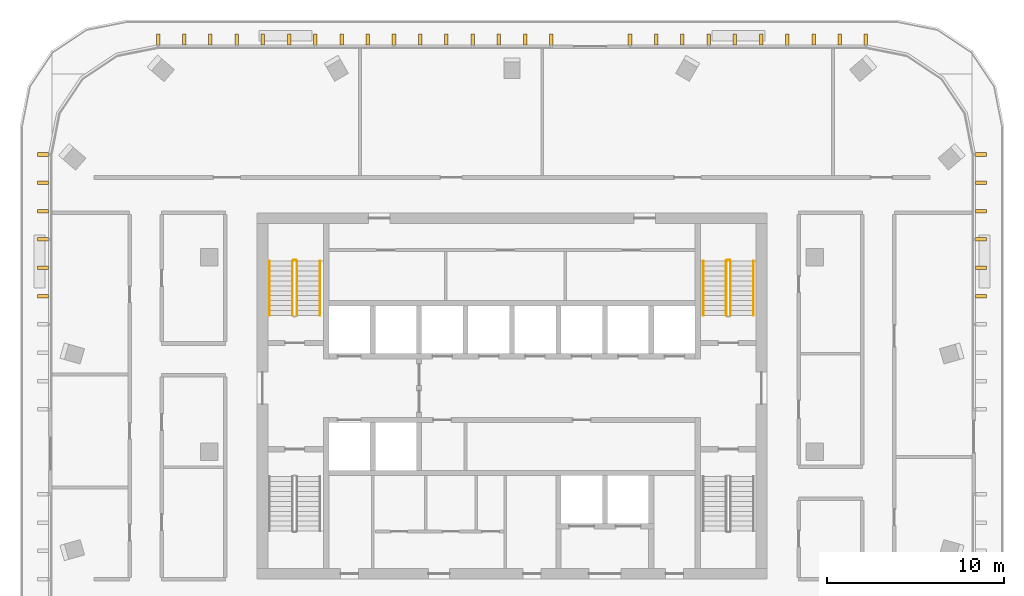
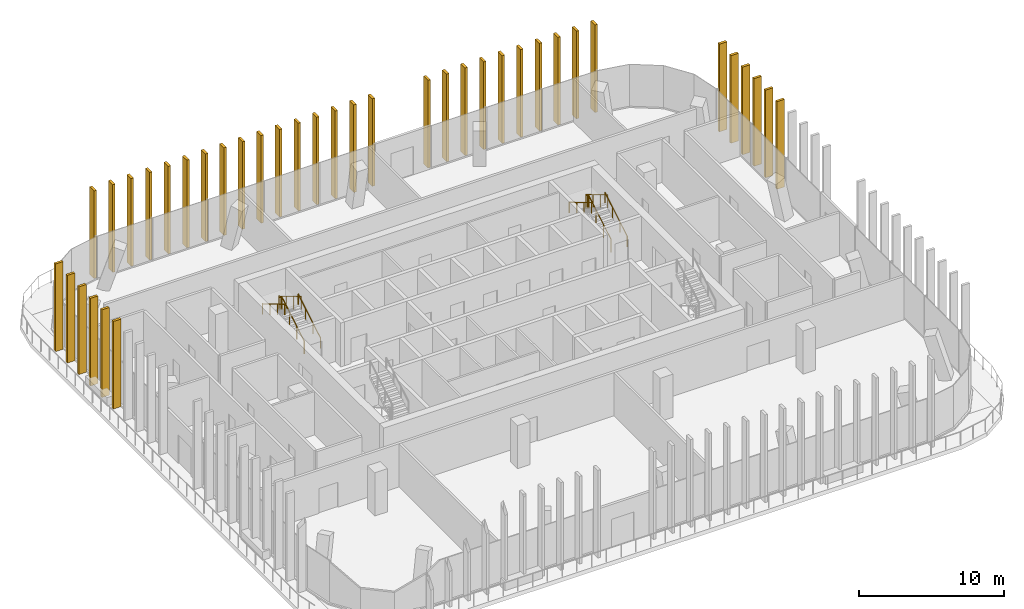
# One storey, part 15 of 15: 38 shading devices, 8 railings.
"""IFC4 building model written with IfcOpenShell, lengths in metres."""

from ifc_helpers import new_model, si_unit, direction, frame, origin, origin_2d, place, context, subcontext, project, spatial, rectangle, circle, extrude, material, type_object, element, save


model = new_model("IFC4")

# Units and contexts
model_context = context("Model", 3, precision=1e-05, world=origin(), true_north=direction((0.0, 1.0)))
body_context = subcontext(model_context, "Body", "Model", "MODEL_VIEW")
ifc_project = project(units=[si_unit("LENGTHUNIT", "METRE"), si_unit("AREAUNIT", "SQUARE_METRE"), si_unit("VOLUMEUNIT", "CUBIC_METRE"), si_unit("PLANEANGLEUNIT", "RADIAN"), si_unit("MASSUNIT", "GRAM", prefix="KILO")], contexts=[model_context])

# Site, building, storey
site_placement = place(None, origin())
site = spatial("IfcSite", under=ifc_project, at=site_placement, CompositionType="ELEMENT")
building_placement = place(site_placement, origin())
building = spatial("IfcBuilding", under=site, at=building_placement, Name="Mopane Tessera Tower", CompositionType="ELEMENT")
storey_placement = place(building_placement, frame((0.0, 0.0, 329.39990234375)))
storey = spatial("IfcBuildingStorey", under=building, at=storey_placement, Name="L72", CompositionType="ELEMENT", Elevation=329.39990234375)

# Shading devices
ifc_material_1 = material(Name="Glazed ceramic tile")
shading_device_type = type_object("IfcShadingDeviceType", Name="Ceramic tile fin 600 x 200 mm", PredefinedType="USERDEFINED", material=ifc_material_1)
for number, where, z_axis, x_axis, name in (
    (1, (26.5, 8.800048828125, 0.000244140625), (0.0, 0.0, 1.0), (0.0, 1.0, 0.0), "e:fin:L72:E:5:1"),
    (2, (26.5, 10.39990234375, 0.000244140625), (0.0, 0.0, 1.0), (0.0, 1.0, 0.0), "e:fin:L72:E:5:2"),
    (3, (26.5, 12.0, 0.000244140625), (0.0, 0.0, 1.0), (0.0, 1.0, 0.0), "e:fin:L72:E:6:0"),
    (4, (26.5, 13.60009765625, 0.000244140625), (0.0, 0.0, 1.0), (0.0, 1.0, 0.0), "e:fin:L72:E:6:1"),
    (5, (26.5, 15.199951171875, 0.000244140625), (0.0, 0.0, 1.0), (0.0, 1.0, 0.0), "e:fin:L72:E:6:2"),
    (6, (26.5, 16.800048828125, 0.000244140625), (0.0, 0.0, 1.0), (0.0, 1.0, 0.0), "e:fin:L72:E:6:3"),
    (7, (20.0, 23.300048828125, 0.000244140625), (0.0, 0.0, 1.0), (-1.0, 0.0, 0.0), "e:fin:L72:N:0:0"),
    (8, (18.5185546875, 23.300048828125, 0.000244140625), (0.0, 0.0, 1.0), (-1.0, 0.0, 0.0), "e:fin:L72:N:0:1"),
    (9, (17.037109375, 23.300048828125, 0.000244140625), (0.0, 0.0, 1.0), (-1.0, 0.0, 0.0), "e:fin:L72:N:0:2"),
    (10, (15.5556640625, 23.300048828125, 0.000244140625), (0.0, 0.0, 1.0), (-1.0, 0.0, 0.0), "e:fin:L72:N:1:0"),
    (11, (14.073974609375, 23.300048828125, 0.000244140625), (0.0, 0.0, 1.0), (-1.0, 0.0, 0.0), "e:fin:L72:N:1:1"),
    (12, (12.592529296875, 23.300048828125, 0.000244140625), (0.0, 0.0, 1.0), (-1.0, 0.0, 0.0), "e:fin:L72:N:1:2"),
    (13, (11.111083984375, 23.300048828125, 0.000244140625), (0.0, 0.0, 1.0), (-1.0, 0.0, 0.0), "e:fin:L72:N:2:0"),
    (14, (9.629638671875, 23.300048828125, 0.000244140625), (0.0, 0.0, 1.0), (-1.0, 0.0, 0.0), "e:fin:L72:N:2:1"),
    (15, (8.148193359375, 23.300048828125, 0.000244140625), (0.0, 0.0, 1.0), (-1.0, 0.0, 0.0), "e:fin:L72:N:2:2"),
    (16, (6.666748046875, 23.300048828125, 0.000244140625), (0.0, 0.0, 1.0), (-1.0, 0.0, 0.0), "e:fin:L72:N:2:3"),
    (17, (2.22216796875, 23.300048828125, 0.000244140625), (0.0, 0.0, 1.0), (-1.0, 0.0, 0.0), "e:fin:L72:N:4:0"),
    (18, (0.74072265625, 23.300048828125, 0.000244140625), (0.0, 0.0, 1.0), (-1.0, 0.0, 0.0), "e:fin:L72:N:4:1"),
    (19, (-0.74072265625, 23.300048828125, 0.000244140625), (0.0, 0.0, 1.0), (-1.0, 0.0, 0.0), "e:fin:L72:N:4:2"),
    (20, (-2.22216796875, 23.300048828125, 0.000244140625), (0.0, 0.0, 1.0), (-1.0, 0.0, 0.0), "e:fin:L72:N:5:0"),
    (21, (-3.70361328125, 23.300048828125, 0.000244140625), (0.0, 0.0, 1.0), (-1.0, 0.0, 0.0), "e:fin:L72:N:5:1"),
    (22, (-5.185302734375, 23.300048828125, 0.000244140625), (0.0, 0.0, 1.0), (-1.0, 0.0, 0.0), "e:fin:L72:N:5:2"),
    (23, (-6.666748046875, 23.300048828125, 0.000244140625), (0.0, 0.0, 1.0), (-1.0, 0.0, 0.0), "e:fin:L72:N:6:0"),
    (24, (-8.148193359375, 23.300048828125, 0.000244140625), (0.0, 0.0, 1.0), (-1.0, 0.0, 0.0), "e:fin:L72:N:6:1"),
    (25, (-9.629638671875, 23.300048828125, 0.000244140625), (0.0, 0.0, 1.0), (-1.0, 0.0, 0.0), "e:fin:L72:N:6:2"),
    (26, (-11.111083984375, 23.300048828125, 0.000244140625), (0.0, 0.0, 1.0), (-1.0, 0.0, 0.0), "e:fin:L72:N:7:0"),
    (27, (-12.592529296875, 23.300048828125, 0.000244140625), (0.0, 0.0, 1.0), (-1.0, 0.0, 0.0), "e:fin:L72:N:7:1"),
    (28, (-14.073974609375, 23.300048828125, 0.000244140625), (0.0, 0.0, 1.0), (-1.0, 0.0, 0.0), "e:fin:L72:N:7:2"),
    (29, (-15.5556640625, 23.300048828125, 0.000244140625), (0.0, 0.0, 1.0), (-1.0, 0.0, 0.0), "e:fin:L72:N:8:0"),
    (30, (-17.037109375, 23.300048828125, 0.000244140625), (0.0, 0.0, 1.0), (-1.0, 0.0, 0.0), "e:fin:L72:N:8:1"),
    (31, (-18.5185546875, 23.300048828125, 0.000244140625), (0.0, 0.0, 1.0), (-1.0, 0.0, 0.0), "e:fin:L72:N:8:2"),
    (32, (-20.0, 23.300048828125, 0.000244140625), (0.0, 0.0, 1.0), (-1.0, 0.0, 0.0), "e:fin:L72:N:8:3"),
    (33, (-26.5, 16.800048828125, 0.000244140625), (0.0, 0.0, 1.0), (0.0, -1.0, 0.0), "e:fin:L72:W:0:0"),
    (34, (-26.5, 15.199951171875, 0.000244140625), (0.0, 0.0, 1.0), (0.0, -1.0, 0.0), "e:fin:L72:W:0:1"),
    (35, (-26.5, 13.60009765625, 0.000244140625), (0.0, 0.0, 1.0), (0.0, -1.0, 0.0), "e:fin:L72:W:0:2"),
    (36, (-26.5, 12.0, 0.000244140625), (0.0, 0.0, 1.0), (0.0, -1.0, 0.0), "e:fin:L72:W:1:0"),
    (37, (-26.5, 10.39990234375, 0.000244140625), (0.0, 0.0, 1.0), (0.0, -1.0, 0.0), "e:fin:L72:W:1:1"),
    (38, (-26.5, 8.800048828125, 0.000244140625), (0.0, 0.0, 1.0), (0.0, -1.0, 0.0), "e:fin:L72:W:1:2"),
):
    element("IfcShadingDevice", number, at=place(storey_placement, frame(where, z_axis=z_axis, x_axis=x_axis)), inside=storey, type_object=shading_device_type, Name=name, ObjectType="FIN", PredefinedType="USERDEFINED", context=body_context, shape_type="SweptSolid", body=[
        extrude(rectangle(XDim=0.199951171875, YDim=0.60009765625, at=origin_2d()), origin(), (0.0, 0.0, 1.0), 7.39990234375),
    ])

# Railings
ifc_material_2 = material(Name="Powder-coated steel balustrade", Category="steel")
railing_type_1 = type_object("IfcRailingType", Name="Escape stair guard 1100 mm", PredefinedType="GUARDRAIL", material=ifc_material_2)
railing_1_placement = place(storey_placement, frame((-12.14990234375, 7.699951171875, 0.166748046875)))
element("IfcRailing", 39, at=railing_1_placement, inside=storey, type_object=railing_type_1, Name="L72 ST2 stair guard 1", PredefinedType="GUARDRAIL", context=body_context, shape_type="SweptSolid", body=[
    extrude(circle(Radius=0.02392578125, at=origin_2d()), frame((0.0, 0.0, 1.076171875), z_axis=(0.0, 0.859308565015, 0.511457515432), x_axis=(-1.0, 0.0, 0.0)), (0.0, 0.0, 1.0), 3.58447265625),
    extrude(circle(Radius=0.02392578125, at=origin_2d()), frame((0.0, 3.080078125, 2.9091796875), z_axis=(-0.707106781187, 0.707106781187, 0.0), x_axis=(-0.707106781187, -0.707106781187, 0.0)), (0.0, 0.0, 1.0), 0.07080078125),
    extrude(circle(Radius=0.02392578125, at=origin_2d()), frame((-0.050048828125, 3.130126953125, 2.9091796875), z_axis=(-1.0, 0.0, 0.0), x_axis=(0.0, -1.0, 0.0)), (0.0, 0.0, 1.0), 0.150146484375),
    extrude(circle(Radius=0.02099609375, at=origin_2d()), origin(), (0.0, 0.0, 1.0), 1.052001953125),
    extrude(circle(Radius=0.02099609375, at=origin_2d()), frame((0.0, 1.026611328125, 0.611083984375)), (0.0, 0.0, 1.0), 1.052001953125),
    extrude(circle(Radius=0.02099609375, at=origin_2d()), frame((0.0, 2.053466796875, 1.22216796875)), (0.0, 0.0, 1.0), 1.052001953125),
    extrude(circle(Radius=0.02099609375, at=origin_2d()), frame((0.0, 3.080078125, 1.833251953125)), (0.0, 0.0, 1.0), 1.052001953125),
    extrude(circle(Radius=0.02099609375, at=origin_2d()), frame((-0.050048828125, 3.130126953125, 1.833251953125)), (0.0, 0.0, 1.0), 1.052001953125),
    extrude(circle(Radius=0.02099609375, at=origin_2d()), frame((-0.2001953125, 3.130126953125, 1.833251953125)), (0.0, 0.0, 1.0), 1.052001953125),
])
railing_2_placement = place(storey_placement, frame((-12.39990234375, 10.780029296875, 2.166748046875)))
element("IfcRailing", 40, at=railing_2_placement, inside=storey, type_object=railing_type_1, Name="L72 ST2 stair guard 2", PredefinedType="GUARDRAIL", context=body_context, shape_type="SweptSolid", body=[
    extrude(circle(Radius=0.02392578125, at=origin_2d()), frame((0.0, 0.0, 1.076171875), z_axis=(0.0, -0.859308565015, 0.511457515432), x_axis=(1.0, 0.0, 0.0)), (0.0, 0.0, 1.0), 3.58447265625),
    extrude(circle(Radius=0.02099609375, at=origin_2d()), origin(), (0.0, 0.0, 1.0), 1.052001953125),
    extrude(circle(Radius=0.02099609375, at=origin_2d()), frame((0.0, -1.026611328125, 0.611083984375)), (0.0, 0.0, 1.0), 1.052001953125),
    extrude(circle(Radius=0.02099609375, at=origin_2d()), frame((0.0, -2.053466796875, 1.22216796875)), (0.0, 0.0, 1.0), 1.052001953125),
    extrude(circle(Radius=0.02099609375, at=origin_2d()), frame((0.0, -3.080078125, 1.833251953125)), (0.0, 0.0, 1.0), 1.052001953125),
])
railing_3_placement = place(storey_placement, frame((12.35009765625, 7.699951171875, 0.166748046875)))
element("IfcRailing", 41, at=railing_3_placement, inside=storey, type_object=railing_type_1, Name="L72 ST4 stair guard 1", PredefinedType="GUARDRAIL", context=body_context, shape_type="SweptSolid", body=[
    extrude(circle(Radius=0.02392578125, at=origin_2d()), frame((0.0, 0.0, 1.076171875), z_axis=(0.0, 0.859308565015, 0.511457515432), x_axis=(-1.0, 0.0, 0.0)), (0.0, 0.0, 1.0), 3.58447265625),
    extrude(circle(Radius=0.02392578125, at=origin_2d()), frame((0.0, 3.080078125, 2.9091796875), z_axis=(-0.707106781187, 0.707106781187, 0.0), x_axis=(-0.707106781187, -0.707106781187, 0.0)), (0.0, 0.0, 1.0), 0.07080078125),
    extrude(circle(Radius=0.02392578125, at=origin_2d()), frame((-0.050048828125, 3.130126953125, 2.9091796875), z_axis=(-1.0, 0.0, 0.0), x_axis=(0.0, -1.0, 0.0)), (0.0, 0.0, 1.0), 0.150146484375),
    extrude(circle(Radius=0.02099609375, at=origin_2d()), origin(), (0.0, 0.0, 1.0), 1.052001953125),
    extrude(circle(Radius=0.02099609375, at=origin_2d()), frame((0.0, 1.026611328125, 0.611083984375)), (0.0, 0.0, 1.0), 1.052001953125),
    extrude(circle(Radius=0.02099609375, at=origin_2d()), frame((0.0, 2.053466796875, 1.22216796875)), (0.0, 0.0, 1.0), 1.052001953125),
    extrude(circle(Radius=0.02099609375, at=origin_2d()), frame((0.0, 3.080078125, 1.833251953125)), (0.0, 0.0, 1.0), 1.052001953125),
    extrude(circle(Radius=0.02099609375, at=origin_2d()), frame((-0.050048828125, 3.130126953125, 1.833251953125)), (0.0, 0.0, 1.0), 1.052001953125),
    extrude(circle(Radius=0.02099609375, at=origin_2d()), frame((-0.2001953125, 3.130126953125, 1.833251953125)), (0.0, 0.0, 1.0), 1.052001953125),
])
railing_4_placement = place(storey_placement, frame((12.10009765625, 10.780029296875, 2.166748046875)))
element("IfcRailing", 42, at=railing_4_placement, inside=storey, type_object=railing_type_1, Name="L72 ST4 stair guard 2", PredefinedType="GUARDRAIL", context=body_context, shape_type="SweptSolid", body=[
    extrude(circle(Radius=0.02392578125, at=origin_2d()), frame((0.0, 0.0, 1.076171875), z_axis=(0.0, -0.859308565015, 0.511457515432), x_axis=(1.0, 0.0, 0.0)), (0.0, 0.0, 1.0), 3.58447265625),
    extrude(circle(Radius=0.02099609375, at=origin_2d()), origin(), (0.0, 0.0, 1.0), 1.052001953125),
    extrude(circle(Radius=0.02099609375, at=origin_2d()), frame((0.0, -1.026611328125, 0.611083984375)), (0.0, 0.0, 1.0), 1.052001953125),
    extrude(circle(Radius=0.02099609375, at=origin_2d()), frame((0.0, -2.053466796875, 1.22216796875)), (0.0, 0.0, 1.0), 1.052001953125),
    extrude(circle(Radius=0.02099609375, at=origin_2d()), frame((0.0, -3.080078125, 1.833251953125)), (0.0, 0.0, 1.0), 1.052001953125),
])
ifc_material_3 = material(Name="Powder-coated steel balustrade", Category="steel")
railing_type_2 = type_object("IfcRailingType", Name="Escape stair handrail 900 mm", PredefinedType="HANDRAIL", material=ifc_material_3)
railing_5_placement = place(storey_placement, frame((-10.85009765625, 7.699951171875, 0.166748046875)))
element("IfcRailing", 43, at=railing_5_placement, inside=storey, type_object=railing_type_2, Name="L72 ST2 stair handrail 1", PredefinedType="HANDRAIL", context=body_context, shape_type="SweptSolid", body=[
    extrude(circle(Radius=0.02392578125, at=origin_2d()), frame((0.0, 0.0, 0.8759765625), z_axis=(0.0, 0.859308565015, 0.511457515432), x_axis=(-1.0, 0.0, 0.0)), (0.0, 0.0, 1.0), 3.58447265625),
    extrude(circle(Radius=0.02099609375, at=origin_2d()), origin(), (0.0, 0.0, 1.0), 0.851806640625),
    extrude(circle(Radius=0.02099609375, at=origin_2d()), frame((0.0, 1.026611328125, 0.611083984375)), (0.0, 0.0, 1.0), 0.851806640625),
    extrude(circle(Radius=0.02099609375, at=origin_2d()), frame((0.0, 2.053466796875, 1.22216796875)), (0.0, 0.0, 1.0), 0.851806640625),
    extrude(circle(Radius=0.02099609375, at=origin_2d()), frame((0.0, 3.080078125, 1.833251953125)), (0.0, 0.0, 1.0), 0.851806640625),
])
railing_6_placement = place(storey_placement, frame((-13.699951171875, 10.780029296875, 2.166748046875)))
element("IfcRailing", 44, at=railing_6_placement, inside=storey, type_object=railing_type_2, Name="L72 ST2 stair handrail 2", PredefinedType="HANDRAIL", context=body_context, shape_type="SweptSolid", body=[
    extrude(circle(Radius=0.02392578125, at=origin_2d()), frame((0.0, 0.0, 0.8759765625), z_axis=(0.0, -0.859308565015, 0.511457515432), x_axis=(1.0, 0.0, 0.0)), (0.0, 0.0, 1.0), 3.58447265625),
    extrude(circle(Radius=0.02099609375, at=origin_2d()), origin(), (0.0, 0.0, 1.0), 0.851806640625),
    extrude(circle(Radius=0.02099609375, at=origin_2d()), frame((0.0, -1.026611328125, 0.611083984375)), (0.0, 0.0, 1.0), 0.851806640625),
    extrude(circle(Radius=0.02099609375, at=origin_2d()), frame((0.0, -2.053466796875, 1.22216796875)), (0.0, 0.0, 1.0), 0.851806640625),
    extrude(circle(Radius=0.02099609375, at=origin_2d()), frame((0.0, -3.080078125, 1.833251953125)), (0.0, 0.0, 1.0), 0.851806640625),
])
railing_7_placement = place(storey_placement, frame((13.64990234375, 7.699951171875, 0.166748046875)))
element("IfcRailing", 45, at=railing_7_placement, inside=storey, type_object=railing_type_2, Name="L72 ST4 stair handrail 1", PredefinedType="HANDRAIL", context=body_context, shape_type="SweptSolid", body=[
    extrude(circle(Radius=0.02392578125, at=origin_2d()), frame((0.0, 0.0, 0.8759765625), z_axis=(0.0, 0.859308565015, 0.511457515432), x_axis=(-1.0, 0.0, 0.0)), (0.0, 0.0, 1.0), 3.58447265625),
    extrude(circle(Radius=0.02099609375, at=origin_2d()), origin(), (0.0, 0.0, 1.0), 0.851806640625),
    extrude(circle(Radius=0.02099609375, at=origin_2d()), frame((0.0, 1.026611328125, 0.611083984375)), (0.0, 0.0, 1.0), 0.851806640625),
    extrude(circle(Radius=0.02099609375, at=origin_2d()), frame((0.0, 2.053466796875, 1.22216796875)), (0.0, 0.0, 1.0), 0.851806640625),
    extrude(circle(Radius=0.02099609375, at=origin_2d()), frame((0.0, 3.080078125, 1.833251953125)), (0.0, 0.0, 1.0), 0.851806640625),
])
railing_8_placement = place(storey_placement, frame((10.800048828125, 10.780029296875, 2.166748046875)))
element("IfcRailing", 46, at=railing_8_placement, inside=storey, type_object=railing_type_2, Name="L72 ST4 stair handrail 2", PredefinedType="HANDRAIL", context=body_context, shape_type="SweptSolid", body=[
    extrude(circle(Radius=0.02392578125, at=origin_2d()), frame((0.0, 0.0, 0.8759765625), z_axis=(0.0, -0.859308565015, 0.511457515432), x_axis=(1.0, 0.0, 0.0)), (0.0, 0.0, 1.0), 3.58447265625),
    extrude(circle(Radius=0.02099609375, at=origin_2d()), origin(), (0.0, 0.0, 1.0), 0.851806640625),
    extrude(circle(Radius=0.02099609375, at=origin_2d()), frame((0.0, -1.026611328125, 0.611083984375)), (0.0, 0.0, 1.0), 0.851806640625),
    extrude(circle(Radius=0.02099609375, at=origin_2d()), frame((0.0, -2.053466796875, 1.22216796875)), (0.0, 0.0, 1.0), 0.851806640625),
    extrude(circle(Radius=0.02099609375, at=origin_2d()), frame((0.0, -3.080078125, 1.833251953125)), (0.0, 0.0, 1.0), 0.851806640625),
])

save(model, "model.ifc")
